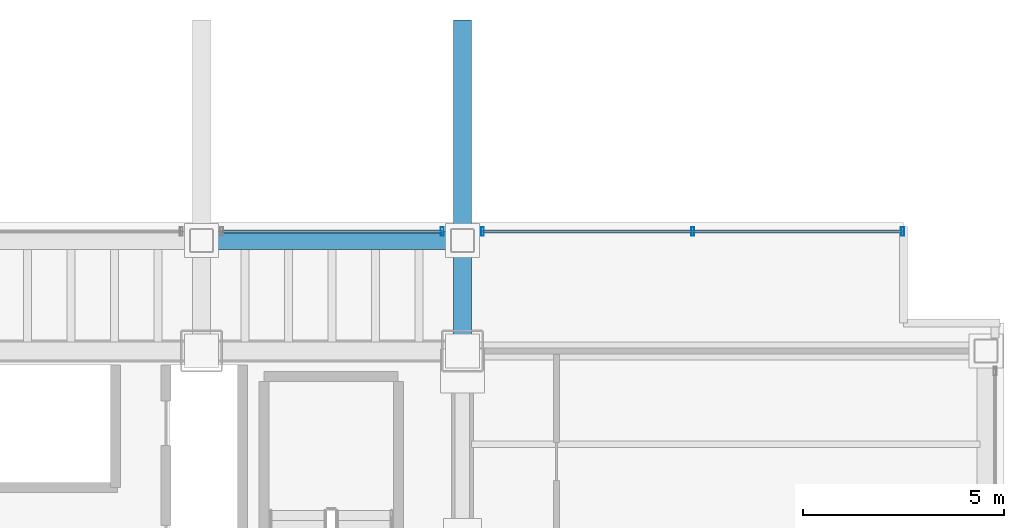
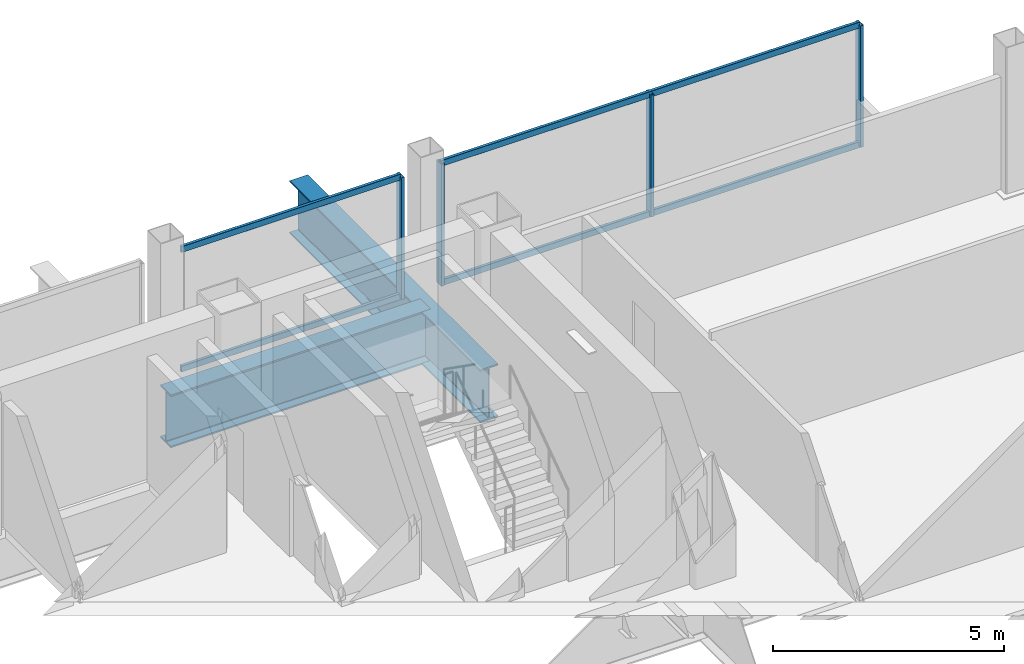
# One storey, part 16 of 21: 8 members, 2 beams, 2 elements without a shape of their own.
"""IFC4 building model written with IfcOpenShell, lengths in metres."""

from ifc_helpers import new_model, si_unit, direction, frame, origin, origin_2d, place, context, subcontext, project, spatial, hollow_rectangle, i_section, extrude, material, material_profile, profile_set, type_object, element, aggregate, save


model = new_model("IFC4")

# Units and contexts
model_context = context("Model", 3, precision=1e-05, world=origin(), true_north=direction((0.0, 1.0)))
body_context = subcontext(model_context, "Body", "Model", "MODEL_VIEW")
ifc_project = project(units=[si_unit("LENGTHUNIT", "METRE"), si_unit("AREAUNIT", "SQUARE_METRE"), si_unit("VOLUMEUNIT", "CUBIC_METRE"), si_unit("PLANEANGLEUNIT", "RADIAN"), si_unit("MASSUNIT", "GRAM", prefix="KILO")], contexts=[model_context])

# Site, building, storey
site_placement = place(None, origin())
site = spatial("IfcSite", under=ifc_project, at=site_placement, CompositionType="ELEMENT")
building_placement = place(site_placement, origin())
building = spatial("IfcBuilding", under=site, at=building_placement, Name="Noeulbin Bourse Tower", CompositionType="ELEMENT")
storey_placement = place(building_placement, frame((0.0, 0.0, 81.10009765625)))
storey = spatial("IfcBuildingStorey", under=building, at=storey_placement, Name="L20", CompositionType="ELEMENT", Elevation=81.10009765625)

# Beams
ifc_material_1 = material(Name="Steel S460", Category="steel")
ifc_material_profile_1 = material_profile(ifc_material_1, i_section(OverallWidth=0.449951171875, OverallDepth=1.39990234375, WebThickness=0.02392578125, FlangeThickness=0.0400390625, FilletRadius=0.02392578125, at=origin_2d()), Name="PG-1400x450x24x40", Category="LoadBearing")
ifc_profile_set_1 = profile_set([ifc_material_profile_1], Name="Steel S460")
beam_type = type_object("IfcBeamType", Name="BM-TRF-1400", PredefinedType="USERDEFINED", material=ifc_profile_set_1)
beam_1_placement = place(storey_placement, frame((44.0, 38.300048828125, -0.940185546875), z_axis=(0.0, 1.0, 0.0), x_axis=(-1.0, 0.0, 0.0)))
element("IfcBeam", 1, at=beam_1_placement, inside=storey, type_object=beam_type, Name="Tower Primary Girder NS L20-5.6", ObjectType="GIRDER", PredefinedType="USERDEFINED", context=body_context, shape_type="SweptSolid", body=[
    extrude(i_section(OverallWidth=0.449951171875, OverallDepth=1.39990234375, WebThickness=0.02392578125, FlangeThickness=0.0400390625, FilletRadius=0.02392578125, at=origin_2d()), origin(), (0.0, 0.0, 1.0), 8.25),
])
beam_2_placement = place(storey_placement, frame((37.5, 41.050048828125, -0.940185546875), z_axis=(1.0, 0.0, 0.0), x_axis=(0.0, 1.0, 0.0)))
element("IfcBeam", 2, at=beam_2_placement, inside=storey, type_object=beam_type, Name="North Spandrel L20-4", ObjectType="GIRDER", PredefinedType="USERDEFINED", context=body_context, shape_type="SweptSolid", body=[
    extrude(i_section(OverallWidth=0.449951171875, OverallDepth=1.39990234375, WebThickness=0.02392578125, FlangeThickness=0.0400390625, FilletRadius=0.02392578125, at=origin_2d()), origin(), (0.0, 0.0, 1.0), 6.5),
])

# Curtain wall, member
ifc_material_2 = material(Name="Dark Solar-Control Double Glazing", Category="glass")
curtain_wall_type = type_object("IfcCurtainWallType", Name="CW-SYS-2", PredefinedType="NOTDEFINED", material=ifc_material_2)
curtain_wall_1_placement = place(storey_placement, origin())
curtain_wall_1 = element("IfcCurtainWall", 3, at=curtain_wall_1_placement, inside=storey, type_object=curtain_wall_type, Name="Unitised Curtain Wall CW-L20-N-S5", PredefinedType="NOTDEFINED")
ifc_material_3 = material(Name="Anodised Aluminium 6063-T6", Category="aluminium")
ifc_material_profile_2 = material_profile(ifc_material_3, hollow_rectangle(XDim=0.074951171875, YDim=0.219970703125, WallThickness=0.0048828125, InnerFilletRadius=0.00244140625, OuterFilletRadius=0.0048828125, at=origin_2d()), Name="ALU-MULL-75x220x5", Category="LoadBearing")
ifc_profile_set_2 = profile_set([ifc_material_profile_2], Name="Anodised Aluminium 6063-T6")
member_type_1 = type_object("IfcMemberType", Name="CW-SYS-2-MUL", PredefinedType="MULLION", material=ifc_profile_set_2)
member_1_placement = place(storey_placement, frame((43.5, 41.280029296875, -0.02001953125), z_axis=(0.0, 0.0, 1.0), x_axis=(1.0, 0.0, 0.0)))
member_1 = element("IfcMember", 4, at=member_1_placement, type_object=member_type_1, Name="Curtain Wall Mullion CW-L20-N-S5-M01", PredefinedType="MULLION", context=body_context, shape_type="SweptSolid", body=[
    extrude(hollow_rectangle(XDim=0.074951171875, YDim=0.219970703125, WallThickness=0.0048828125, InnerFilletRadius=0.00244140625, OuterFilletRadius=0.0048828125, at=origin_2d()), origin(), (0.0, 0.0, 1.0), 3.219970703125),
])

# Curtain wall, members
curtain_wall_2_placement = place(storey_placement, origin())
curtain_wall_2 = element("IfcCurtainWall", 5, at=curtain_wall_2_placement, inside=storey, type_object=curtain_wall_type, Name="Unitised Curtain Wall CW-L20-N-S6", PredefinedType="NOTDEFINED")
member_2_placement = place(storey_placement, frame((44.5, 41.280029296875, -0.02001953125), z_axis=(0.0, 0.0, 1.0), x_axis=(1.0, 0.0, 0.0)))
member_2 = element("IfcMember", 6, at=member_2_placement, type_object=member_type_1, Name="Curtain Wall Mullion CW-L20-N-S6-M00", PredefinedType="MULLION", context=body_context, shape_type="SweptSolid", body=[
    extrude(hollow_rectangle(XDim=0.074951171875, YDim=0.219970703125, WallThickness=0.0048828125, InnerFilletRadius=0.00244140625, OuterFilletRadius=0.0048828125, at=origin_2d()), origin(), (0.0, 0.0, 1.0), 3.219970703125),
])
member_3_placement = place(storey_placement, frame((49.739990234375, 41.280029296875, -0.02001953125), z_axis=(0.0, 0.0, 1.0), x_axis=(1.0, 0.0, 0.0)))
member_3 = element("IfcMember", 7, at=member_3_placement, type_object=member_type_1, Name="Curtain Wall Mullion CW-L20-N-S6-M01", PredefinedType="MULLION", context=body_context, shape_type="SweptSolid", body=[
    extrude(hollow_rectangle(XDim=0.074951171875, YDim=0.219970703125, WallThickness=0.0048828125, InnerFilletRadius=0.00244140625, OuterFilletRadius=0.0048828125, at=origin_2d()), origin(), (0.0, 0.0, 1.0), 3.219970703125),
])
member_4_placement = place(storey_placement, frame((54.97998046875, 41.280029296875, -0.02001953125), z_axis=(0.0, 0.0, 1.0), x_axis=(1.0, 0.0, 0.0)))
member_4 = element("IfcMember", 8, at=member_4_placement, type_object=member_type_1, Name="Curtain Wall Mullion CW-L20-N-S6-M02", PredefinedType="MULLION", context=body_context, shape_type="SweptSolid", body=[
    extrude(hollow_rectangle(XDim=0.074951171875, YDim=0.219970703125, WallThickness=0.0048828125, InnerFilletRadius=0.00244140625, OuterFilletRadius=0.0048828125, at=origin_2d()), origin(), (0.0, 0.0, 1.0), 3.219970703125),
])

# Member
ifc_material_profile_3 = material_profile(ifc_material_3, hollow_rectangle(XDim=0.074951171875, YDim=0.159912109375, WallThickness=0.0048828125, InnerFilletRadius=0.00244140625, OuterFilletRadius=0.0048828125, at=origin_2d()), Name="ALU-TRAN-75x160x5", Category="LoadBearing")
ifc_profile_set_3 = profile_set([ifc_material_profile_3], Name="Anodised Aluminium 6063-T6")
member_type_2 = type_object("IfcMemberType", Name="CW-SYS-2-TRN", PredefinedType="USERDEFINED", material=ifc_profile_set_3)
member_5_placement = place(storey_placement, frame((38.010009765625, 41.280029296875, 0.010009765625), z_axis=(1.0, 0.0, 0.0), x_axis=(0.0, 1.0, 0.0)))
member_5 = element("IfcMember", 9, at=member_5_placement, type_object=member_type_2, Name="Curtain Wall Transom CW-L20-N-S5-T00", ObjectType="TRANSOM", PredefinedType="USERDEFINED", context=body_context, shape_type="SweptSolid", body=[
    extrude(hollow_rectangle(XDim=0.074951171875, YDim=0.159912109375, WallThickness=0.0048828125, InnerFilletRadius=0.00244140625, OuterFilletRadius=0.0048828125, at=origin_2d()), origin(), (0.0, 0.0, 1.0), 5.47998046875),
])

member_6_placement = place(storey_placement, frame((38.010009765625, 41.280029296875, 3.169921875), z_axis=(1.0, 0.0, 0.0), x_axis=(0.0, 1.0, 0.0)))
member_6 = element("IfcMember", 10, at=member_6_placement, type_object=member_type_2, Name="Curtain Wall Transom CW-L20-N-S5-T01", ObjectType="TRANSOM", PredefinedType="USERDEFINED", context=body_context, shape_type="SweptSolid", body=[
    extrude(hollow_rectangle(XDim=0.074951171875, YDim=0.159912109375, WallThickness=0.0048828125, InnerFilletRadius=0.00244140625, OuterFilletRadius=0.0048828125, at=origin_2d()), origin(), (0.0, 0.0, 1.0), 5.47998046875),
])

aggregate(curtain_wall_1, [member_1, member_5, member_6])

member_7_placement = place(storey_placement, frame((44.510009765625, 41.280029296875, 0.010009765625), z_axis=(1.0, 0.0, 0.0), x_axis=(0.0, 1.0, 0.0)))
member_7 = element("IfcMember", 11, at=member_7_placement, type_object=member_type_2, Name="Curtain Wall Transom CW-L20-N-S6-T00", ObjectType="TRANSOM", PredefinedType="USERDEFINED", context=body_context, shape_type="SweptSolid", body=[
    extrude(hollow_rectangle(XDim=0.074951171875, YDim=0.159912109375, WallThickness=0.0048828125, InnerFilletRadius=0.00244140625, OuterFilletRadius=0.0048828125, at=origin_2d()), origin(), (0.0, 0.0, 1.0), 10.4599609375),
])

member_8_placement = place(storey_placement, frame((44.510009765625, 41.280029296875, 3.169921875), z_axis=(1.0, 0.0, 0.0), x_axis=(0.0, 1.0, 0.0)))
member_8 = element("IfcMember", 12, at=member_8_placement, type_object=member_type_2, Name="Curtain Wall Transom CW-L20-N-S6-T01", ObjectType="TRANSOM", PredefinedType="USERDEFINED", context=body_context, shape_type="SweptSolid", body=[
    extrude(hollow_rectangle(XDim=0.074951171875, YDim=0.159912109375, WallThickness=0.0048828125, InnerFilletRadius=0.00244140625, OuterFilletRadius=0.0048828125, at=origin_2d()), origin(), (0.0, 0.0, 1.0), 10.4599609375),
])

aggregate(curtain_wall_2, [member_2, member_3, member_4, member_7, member_8])

save(model, "model.ifc")
